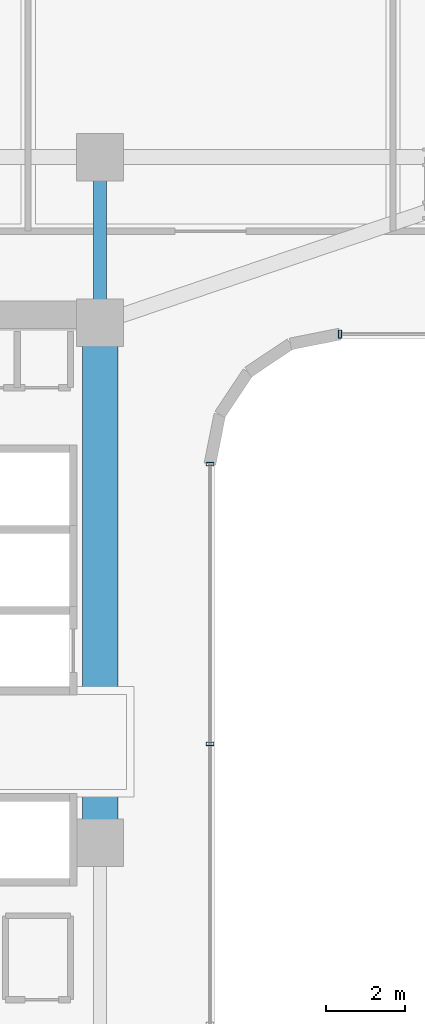
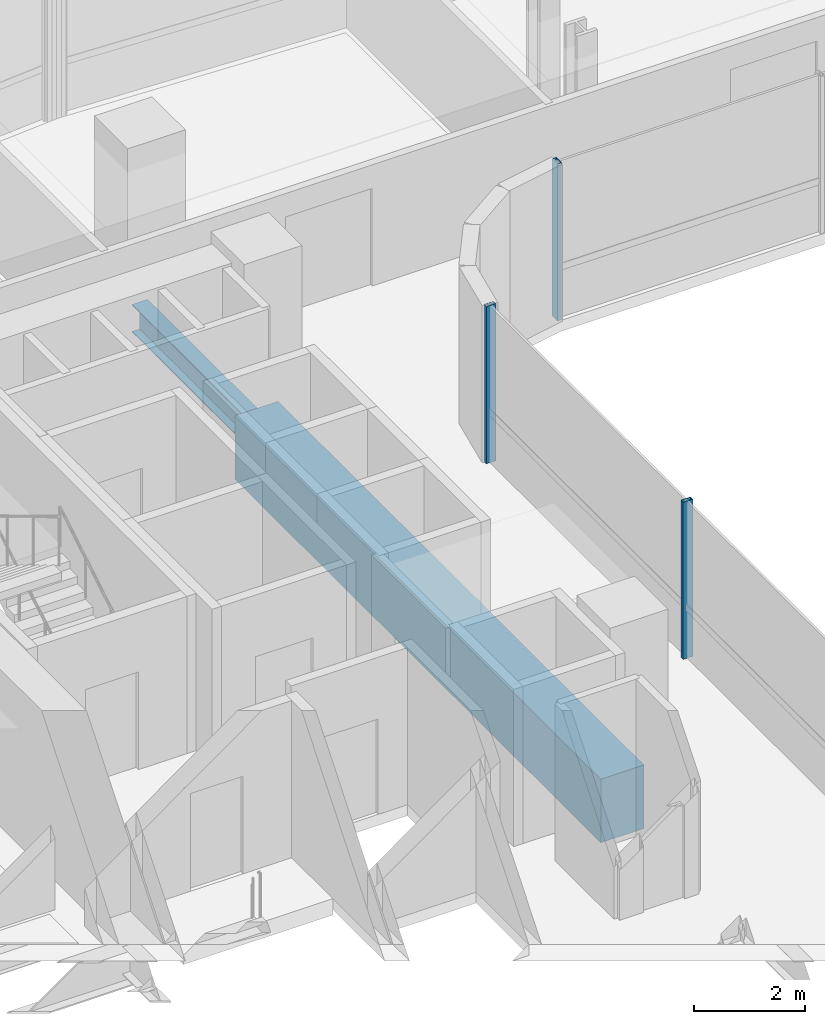
# One storey, part 9 of 35: 3 members, 2 beams, 2 elements without a shape of their own.
"""IFC4 building model written with IfcOpenShell, lengths in metres."""

from ifc_helpers import new_model, si_unit, direction, frame, origin, origin_2d, place, context, subcontext, project, spatial, rectangle, hollow_rectangle, i_section, extrude, source, transform, mapped, material, material_profile, profile_set, type_object, element, aggregate, save


model = new_model("IFC4")

# Units and contexts
model_context = context("Model", 3, precision=1e-05, world=origin(), true_north=direction((0.0, 1.0)))
body_context = subcontext(model_context, "Body", "Model", "MODEL_VIEW")
ifc_project = project(units=[si_unit("LENGTHUNIT", "METRE"), si_unit("AREAUNIT", "SQUARE_METRE"), si_unit("VOLUMEUNIT", "CUBIC_METRE"), si_unit("PLANEANGLEUNIT", "RADIAN"), si_unit("MASSUNIT", "GRAM", prefix="KILO")], contexts=[model_context])

# Site, building, storey
site_placement = place(None, origin())
site = spatial("IfcSite", under=ifc_project, at=site_placement, CompositionType="ELEMENT")
building_placement = place(site_placement, origin())
building = spatial("IfcBuilding", under=site, at=building_placement, Name="Valdorenza Pilgrim Sanctuary Tower", CompositionType="ELEMENT")
storey_placement = place(building_placement, frame((0.0, 0.0, 139.0)))
storey = spatial("IfcBuildingStorey", under=building, at=storey_placement, Name="L35", CompositionType="ELEMENT", Elevation=139.0)

# Beams
ifc_material_1 = material(Name="Concrete C60/75", Category="concrete")
ifc_material_profile_1 = material_profile(ifc_material_1, rectangle(XDim=0.89990234375, YDim=1.39990234375, at=origin_2d()), Name="RC 1400x900")
ifc_profile_set_1 = profile_set([ifc_material_profile_1], Name="Concrete C60/75")
beam_type_1 = type_object("IfcBeamType", Name="STR-BM-LNT-1400", PredefinedType="LINTEL", material=ifc_profile_set_1)
shared_shape_1 = source(origin(), body_context, "Body", "SweptSolid", [
    extrude(rectangle(XDim=0.89990234375, YDim=1.39990234375, at=origin_2d()), origin(), (0.0, 0.0, 1.0), 13.2001953125),
])
beam_1_placement = place(storey_placement, frame((-12.39990234375, -2.60009765625, -0.739990234375), z_axis=(0.0, 1.0, 0.0), x_axis=(-1.0, 0.0, 0.0)))
element("IfcBeam", 1, at=beam_1_placement, inside=storey, type_object=beam_type_1, Name="L35 Core A Coupling Lintel Girder", PredefinedType="LINTEL", context=body_context, shape_type="MappedRepresentation", body=[
    mapped(shared_shape_1, transform((0.0, 0.0, 0.0), x_axis=(1.0, 0.0, 0.0), y_axis=(0.0, 1.0, 0.0), z_axis=(0.0, 0.0, 1.0), scale=1.0)),
])
ifc_material_2 = material(Name="Steel ASTM A992 Grade 50", Category="steel")
ifc_material_profile_2 = material_profile(ifc_material_2, i_section(OverallWidth=0.323974609375, OverallDepth=0.611083984375, WebThickness=0.0126953125, FlangeThickness=0.01904296875, at=origin_2d()), Name="W24X104")
ifc_profile_set_2 = profile_set([ifc_material_profile_2], Name="Steel ASTM A992 Grade 50")
beam_type_2 = type_object("IfcBeamType", Name="STR-BM-GRD-W24B", PredefinedType="BEAM", material=ifc_profile_set_2)
shared_shape_2 = source(origin(), body_context, "Body", "SweptSolid", [
    extrude(i_section(OverallWidth=0.323974609375, OverallDepth=0.611083984375, WebThickness=0.0126953125, FlangeThickness=0.01904296875, at=origin_2d()), origin(), (0.0, 0.0, 1.0), 4.199951171875),
])
beam_2_placement = place(storey_placement, frame((-12.39990234375, 10.60009765625, -0.54541015625), z_axis=(0.0, 1.0, 0.0), x_axis=(-1.0, 0.0, 0.0)))
element("IfcBeam", 2, at=beam_2_placement, inside=storey, type_object=beam_type_2, Name="L35 Core Tie Girder CA-E-N1N2", PredefinedType="BEAM", context=body_context, shape_type="MappedRepresentation", body=[
    mapped(shared_shape_2, transform((0.0, 0.0, 0.0), x_axis=(1.0, 0.0, 0.0), y_axis=(0.0, 1.0, 0.0), z_axis=(0.0, 0.0, 1.0), scale=1.0)),
])

# Curtain wall, member
ifc_material_3 = material(Name="Curtain-wall IGU glazing", Category="glass")
curtain_wall_type = type_object("IfcCurtainWallType", Name="CW-SYS-02", PredefinedType="NOTDEFINED", material=ifc_material_3)
curtain_wall_1_placement = place(storey_placement, origin())
curtain_wall_1 = element("IfcCurtainWall", 3, at=curtain_wall_1_placement, inside=storey, type_object=curtain_wall_type, Name="L35 Curtain Wall CW-L35-1-36", PredefinedType="NOTDEFINED")
ifc_material_4 = material(Name="Anodised aluminium AW-6060", Category="aluminium")
ifc_material_profile_3 = material_profile(ifc_material_4, hollow_rectangle(XDim=0.0849609375, YDim=0.199951171875, WallThickness=0.0048828125, at=origin_2d()), Name="ALU-M 200x85x5")
ifc_profile_set_3 = profile_set([ifc_material_profile_3], Name="Anodised aluminium AW-6060")
member_type = type_object("IfcMemberType", Name="CW-MUL-02", PredefinedType="MULLION", material=ifc_profile_set_3)
shared_shape_3 = source(origin(), body_context, "Body", "SweptSolid", [
    extrude(hollow_rectangle(XDim=0.0849609375, YDim=0.199951171875, WallThickness=0.0048828125, at=origin_2d()), origin(), (0.0, 0.0, 1.0), 3.4599609375),
])
member_1_placement = place(storey_placement, frame((-6.310791015625, 10.31005859375, 0.0), z_axis=(0.0, 0.0, 1.0), x_axis=(-1.0, 0.0, 0.0)))
member_1 = element("IfcMember", 4, at=member_1_placement, type_object=member_type, Name="CW-L35-1-36 Mullion 4", PredefinedType="MULLION", context=body_context, shape_type="MappedRepresentation", body=[
    mapped(shared_shape_3, transform((0.0, 0.0, 0.0), x_axis=(1.0, 0.0, 0.0), y_axis=(0.0, 1.0, 0.0), z_axis=(0.0, 0.0, 1.0), scale=1.0)),
])
aggregate(curtain_wall_1, [member_1])

# Curtain wall, members
curtain_wall_2_placement = place(storey_placement, origin())
curtain_wall_2 = element("IfcCurtainWall", 5, at=curtain_wall_2_placement, inside=storey, type_object=curtain_wall_type, Name="L35 Curtain Wall CW-L35-1-41", PredefinedType="NOTDEFINED")
member_2_placement = place(storey_placement, frame((-9.610107421875, 7.0107421875, 0.0), z_axis=(0.0, 0.0, 1.0), x_axis=(0.0, -1.0, 0.0)))
member_2 = element("IfcMember", 6, at=member_2_placement, type_object=member_type, Name="CW-L35-1-41 Mullion 1", PredefinedType="MULLION", context=body_context, shape_type="MappedRepresentation", body=[
    mapped(shared_shape_3, transform((0.0, 0.0, 0.0), x_axis=(1.0, 0.0, 0.0), y_axis=(0.0, 1.0, 0.0), z_axis=(0.0, 0.0, 1.0), scale=1.0)),
])
member_3_placement = place(storey_placement, frame((-9.610107421875, -0.089111328125, 0.0), z_axis=(0.0, 0.0, 1.0), x_axis=(0.0, -1.0, 0.0)))
member_3 = element("IfcMember", 7, at=member_3_placement, type_object=member_type, Name="CW-L35-1-41 Mullion 2", PredefinedType="MULLION", context=body_context, shape_type="MappedRepresentation", body=[
    mapped(shared_shape_3, transform((0.0, 0.0, 0.0), x_axis=(1.0, 0.0, 0.0), y_axis=(0.0, 1.0, 0.0), z_axis=(0.0, 0.0, 1.0), scale=1.0)),
])
aggregate(curtain_wall_2, [member_2, member_3])

save(model, "model.ifc")
